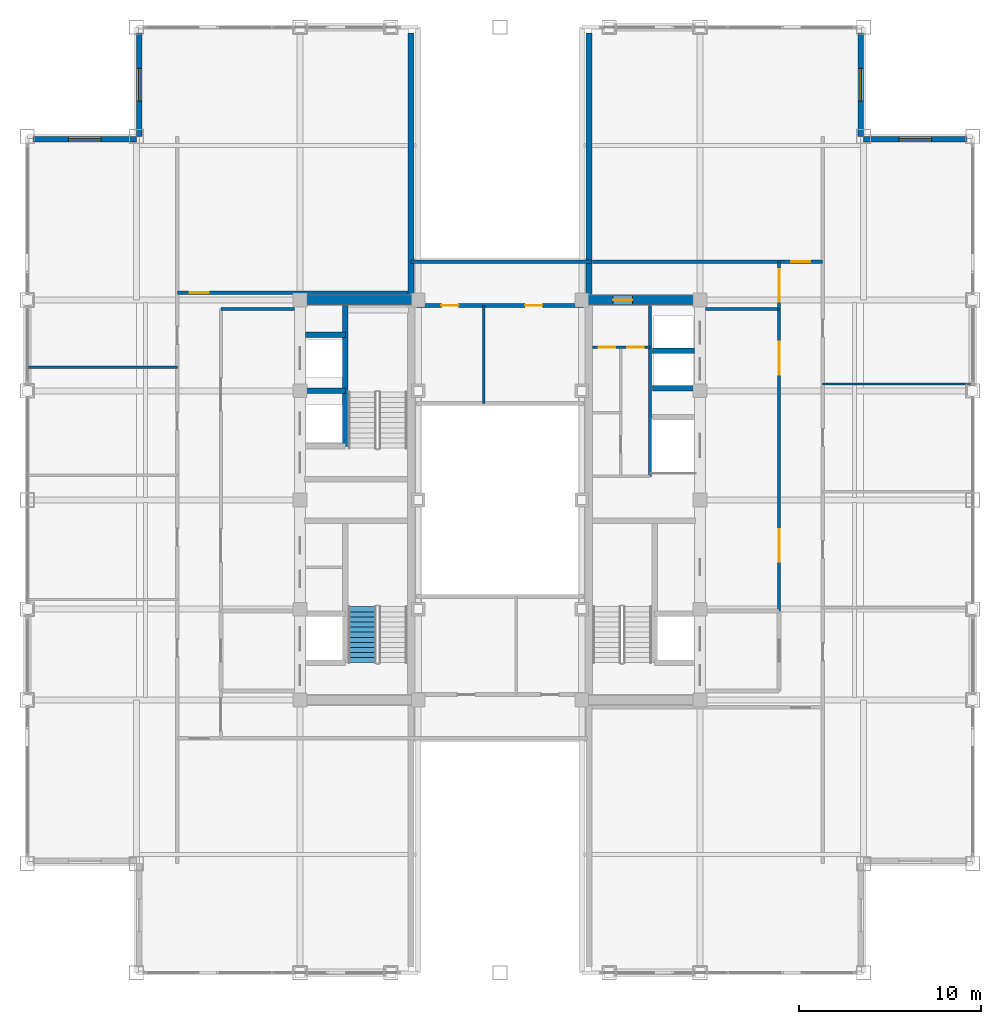
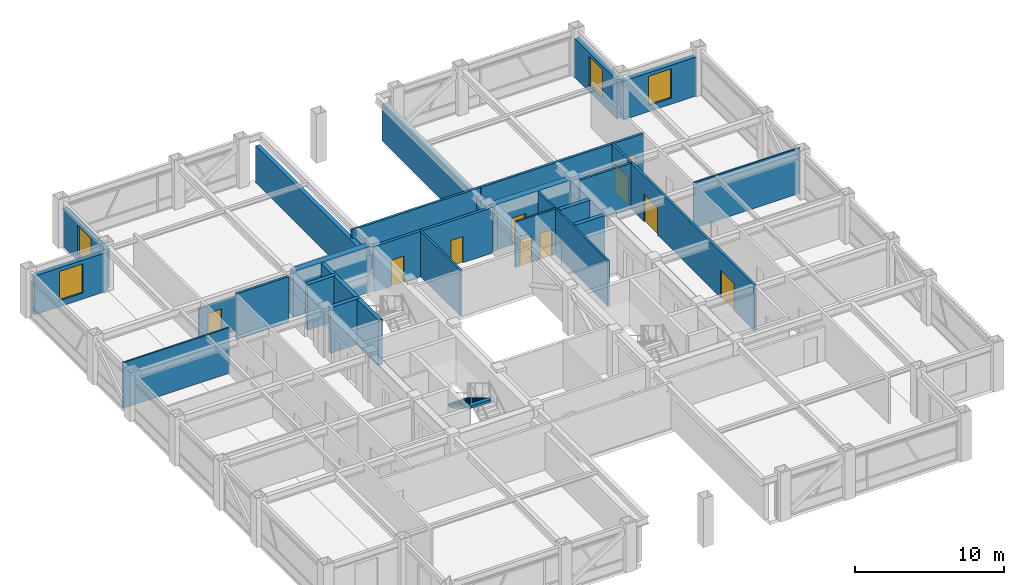
# One storey, part 27 of 29: 26 walls, 10 doors, 4 windows, 1 stair flight, 14 openings, 1 element without a shape of its own.
"""IFC4 building model written with IfcOpenShell, lengths in metres."""

from ifc_helpers import new_model, si_unit, direction, frame, frame_2d, origin, place, context, subcontext, project, spatial, polyline, rectangle, outline, extrude, source, transform, mapped, material, layer, layer_set, type_object, element, fill, aggregate, save


model = new_model("IFC4")

# Units and contexts
model_context = context("Model", 3, precision=1e-05, world=origin(), true_north=direction((0.0, 1.0)))
body_context = subcontext(model_context, "Body", "Model", "MODEL_VIEW")
ifc_project = project(units=[si_unit("LENGTHUNIT", "METRE"), si_unit("AREAUNIT", "SQUARE_METRE"), si_unit("VOLUMEUNIT", "CUBIC_METRE"), si_unit("PLANEANGLEUNIT", "RADIAN"), si_unit("MASSUNIT", "GRAM", prefix="KILO")], contexts=[model_context])

# Site, building, storey
site_placement = place(None, origin())
site = spatial("IfcSite", under=ifc_project, at=site_placement, CompositionType="ELEMENT")
building_placement = place(site_placement, origin())
building = spatial("IfcBuilding", under=site, at=building_placement, Name="Khorayat Bourse Tower", CompositionType="ELEMENT")
storey_placement = place(building_placement, frame((0.0, 0.0, 350.300048828125)))
storey = spatial("IfcBuildingStorey", under=building, at=storey_placement, Name="L83", CompositionType="ELEMENT", Elevation=350.300048828125)

# Wall
ifc_material_1 = material(Name="Concrete C52/65", Category="concrete")
ifc_layer_1 = layer(ifc_material_1, 0.5)
ifc_layer_set_1 = layer_set([ifc_layer_1], Name="Concrete C52/65")
wall_type_1 = type_object("IfcWallType", Name="WAL-CORE-500", PredefinedType="SHEAR", material=ifc_layer_set_1)
shared_shape_1 = source(origin(), body_context, "Body", "SweptSolid", [
    extrude(rectangle(XDim=5.89990234375, YDim=0.5, at=frame_2d((2.949951171875, 0.0))), origin(), (0.0, 0.0, 1.0), 3.739990234375),
])
wall_1_placement = place(storey_placement, frame((-10.75, 11.0, 0.0), z_axis=(0.0, 0.0, 1.0), x_axis=(1.0, 0.0, 0.0)))
element("IfcWall", 1, at=wall_1_placement, inside=storey, type_object=wall_type_1, Name="L83 Core Shear Wall PIER-WN", PredefinedType="SHEAR", context=body_context, shape_type="MappedRepresentation", body=[
    mapped(shared_shape_1, transform((0.0, 0.0, 0.0), scale=1.0)),
])

# Wall, opening, door
wall_2_placement = place(storey_placement, frame((4.85009765625, 11.0, 0.0), z_axis=(0.0, 0.0, 1.0), x_axis=(1.0, 0.0, 0.0)))
wall_2 = element("IfcWall", 2, at=wall_2_placement, inside=storey, type_object=wall_type_1, Name="L83 Core Shear Wall PIER-EN", PredefinedType="SHEAR", context=body_context, shape_type="MappedRepresentation", body=[
    mapped(shared_shape_1, transform((0.0, 0.0, 0.0), scale=1.0)),
])
shared_shape_2 = source(origin(), body_context, "Body", "SweptSolid", [
    extrude(rectangle(XDim=1.050048828125, YDim=2.199951171875, at=frame_2d((0.52490234375, 1.10009765625))), frame((0.0, 0.260009765625, 0.0), z_axis=(0.0, -1.0, 0.0), x_axis=(1.0, 0.0, 0.0)), (0.0, 0.0, 1.0), 0.52001953125),
])
opening_1_placement = place(wall_2_placement, frame((1.375, 0.0, 0.0)))
opening_1 = element("IfcOpeningElement", 3, at=opening_1_placement, cuts=wall_2, Name="Opening DI-04", PredefinedType="OPENING", context=body_context, shape_type="MappedRepresentation", body=[
    mapped(shared_shape_2, transform((0.0, 0.0, 0.0), scale=1.0)),
])
ifc_material_2 = material(Name="Fire-rated oak veneer suite entrance door")
door_type_1 = type_object("IfcDoorType", Name="DR-INT-SUITE-1050", OperationType="NOTDEFINED", PredefinedType="DOOR", material=ifc_material_2)
shared_shape_3 = source(origin(), body_context, "Body", "SweptSolid", [
    extrude(rectangle(XDim=1.050048828125, YDim=2.199951171875, at=frame_2d((0.52490234375, 1.10009765625))), frame((0.0, 0.02490234375, 0.0), z_axis=(0.0, -1.0, 0.0), x_axis=(1.0, 0.0, 0.0)), (0.0, 0.0, 1.0), 0.050048828125),
])
door_1_placement = place(opening_1_placement, origin())
door_1 = element("IfcDoor", 4, at=door_1_placement, inside=storey, type_object=door_type_1, Name="L83 Core Washroom Lobby Door", OperationType="SINGLE_SWING_LEFT", OverallHeight=2.199951171875, OverallWidth=1.050048828125, PredefinedType="DOOR", context=body_context, shape_type="MappedRepresentation", body=[
    mapped(shared_shape_3, transform((0.0, 0.0, 0.0), scale=1.0)),
])
fill(opening_1, door_1)

# Wall, opening, window
ifc_material_3 = material(Name="Precast concrete C45/55", Category="concrete")
ifc_layer_2 = layer(ifc_material_3, 0.320068359375)
ifc_layer_set_2 = layer_set([ifc_layer_2], Name="Precast concrete C45/55")
wall_type_2 = type_object("IfcWallType", Name="WAL-EXT-STONE-320", PredefinedType="STANDARD", material=ifc_layer_set_2)
shared_shape_4 = source(origin(), body_context, "Body", "SweptSolid", [
    extrude(rectangle(XDim=5.679931640625, YDim=0.320068359375, at=frame_2d((2.83984375, 0.0))), origin(), (0.0, 0.0, 1.0), 3.19091796875),
])
wall_3_placement = place(storey_placement, frame((20.0, 19.840087890625, 0.0), z_axis=(0.0, 0.0, 1.0), x_axis=(1.0, 0.0, 0.0)))
wall_3 = element("IfcWall", 5, at=wall_3_placement, inside=storey, type_object=wall_type_2, Name="L83 Re-Entrant Notch Limestone Wall NE-H", PredefinedType="STANDARD", context=body_context, shape_type="MappedRepresentation", body=[
    mapped(shared_shape_4, transform((0.0, 0.0, 0.0), scale=1.0)),
])
shared_shape_5 = source(origin(), body_context, "Body", "SweptSolid", [
    extrude(rectangle(XDim=1.800048828125, YDim=2.39990234375, at=frame_2d((0.89990234375, 1.199951171875))), frame((0.0, 0.169921875, 0.0), z_axis=(0.0, -1.0, 0.0), x_axis=(1.0, 0.0, 0.0)), (0.0, 0.0, 1.0), 0.340087890625),
])
opening_2_placement = place(wall_3_placement, frame((1.93994140625, 0.0, 0.5)))
opening_2 = element("IfcOpeningElement", 6, at=opening_2_placement, cuts=wall_3, Name="Opening WN-04", PredefinedType="OPENING", context=body_context, shape_type="MappedRepresentation", body=[
    mapped(shared_shape_5, transform((0.0, 0.0, 0.0), scale=1.0)),
])
ifc_material_4 = material(Name="Low-E acoustic laminated double glazing", Category="glass")
window_type = type_object("IfcWindowType", Name="WIN-NOTCH-1800x2400", PartitioningType="SINGLE_PANEL", PredefinedType="WINDOW", material=ifc_material_4)
shared_shape_6 = source(origin(), body_context, "Body", "SweptSolid", [
    extrude(rectangle(XDim=1.800048828125, YDim=2.39990234375, at=frame_2d((0.89990234375, 1.199951171875))), frame((0.0, 0.030029296875, 0.0), z_axis=(0.0, -1.0, 0.0), x_axis=(1.0, 0.0, 0.0)), (0.0, 0.0, 1.0), 0.06005859375),
])
window_1_placement = place(opening_2_placement, origin())
window_1 = element("IfcWindow", 7, at=window_1_placement, inside=storey, type_object=window_type, Name="L83 Facade Window 1", OverallHeight=2.39990234375, OverallWidth=1.800048828125, PartitioningType="SINGLE_PANEL", PredefinedType="WINDOW", context=body_context, shape_type="MappedRepresentation", body=[
    mapped(shared_shape_6, transform((0.0, 0.0, 0.0), scale=1.0)),
])
fill(opening_2, window_1)

wall_4_placement = place(storey_placement, frame((19.840087890625, 20.0, 0.0), z_axis=(0.0, 0.0, 1.0), x_axis=(0.0, 1.0, 0.0)))
wall_4 = element("IfcWall", 8, at=wall_4_placement, inside=storey, type_object=wall_type_2, Name="L83 Re-Entrant Notch Limestone Wall NE-V", PredefinedType="STANDARD", context=body_context, shape_type="MappedRepresentation", body=[
    mapped(shared_shape_4, transform((0.0, 0.0, 0.0), scale=1.0)),
])
opening_3_placement = place(wall_4_placement, frame((1.93994140625, 0.0, 0.5)))
opening_3 = element("IfcOpeningElement", 9, at=opening_3_placement, cuts=wall_4, Name="Opening WN-04", PredefinedType="OPENING", context=body_context, shape_type="MappedRepresentation", body=[
    mapped(shared_shape_5, transform((0.0, 0.0, 0.0), scale=1.0)),
])
window_2_placement = place(opening_3_placement, origin())
window_2 = element("IfcWindow", 10, at=window_2_placement, inside=storey, type_object=window_type, Name="L83 Facade Window 1", OverallHeight=2.39990234375, OverallWidth=1.800048828125, PartitioningType="SINGLE_PANEL", PredefinedType="WINDOW", context=body_context, shape_type="MappedRepresentation", body=[
    mapped(shared_shape_6, transform((0.0, 0.0, 0.0), scale=1.0)),
])
fill(opening_3, window_2)

wall_5_placement = place(storey_placement, frame((-19.840087890625, 20.0, 0.0), z_axis=(0.0, 0.0, 1.0), x_axis=(0.0, 1.0, 0.0)))
wall_5 = element("IfcWall", 11, at=wall_5_placement, inside=storey, type_object=wall_type_2, Name="L83 Re-Entrant Notch Limestone Wall NW-V", PredefinedType="STANDARD", context=body_context, shape_type="MappedRepresentation", body=[
    mapped(shared_shape_4, transform((0.0, 0.0, 0.0), scale=1.0)),
])
opening_4_placement = place(wall_5_placement, frame((1.93994140625, 0.0, 0.5)))
opening_4 = element("IfcOpeningElement", 12, at=opening_4_placement, cuts=wall_5, Name="Opening WN-04", PredefinedType="OPENING", context=body_context, shape_type="MappedRepresentation", body=[
    mapped(shared_shape_5, transform((0.0, 0.0, 0.0), scale=1.0)),
])
window_3_placement = place(opening_4_placement, origin())
window_3 = element("IfcWindow", 13, at=window_3_placement, inside=storey, type_object=window_type, Name="L83 Facade Window 1", OverallHeight=2.39990234375, OverallWidth=1.800048828125, PartitioningType="SINGLE_PANEL", PredefinedType="WINDOW", context=body_context, shape_type="MappedRepresentation", body=[
    mapped(shared_shape_6, transform((0.0, 0.0, 0.0), scale=1.0)),
])
fill(opening_4, window_3)

wall_6_placement = place(storey_placement, frame((-20.0, 19.840087890625, 0.0), z_axis=(0.0, 0.0, 1.0), x_axis=(-1.0, 0.0, 0.0)))
wall_6 = element("IfcWall", 14, at=wall_6_placement, inside=storey, type_object=wall_type_2, Name="L83 Re-Entrant Notch Limestone Wall NW-H", PredefinedType="STANDARD", context=body_context, shape_type="MappedRepresentation", body=[
    mapped(shared_shape_4, transform((0.0, 0.0, 0.0), scale=1.0)),
])
opening_5_placement = place(wall_6_placement, frame((1.93994140625, 0.0, 0.5)))
opening_5 = element("IfcOpeningElement", 15, at=opening_5_placement, cuts=wall_6, Name="Opening WN-04", PredefinedType="OPENING", context=body_context, shape_type="MappedRepresentation", body=[
    mapped(shared_shape_5, transform((0.0, 0.0, 0.0), scale=1.0)),
])
window_4_placement = place(opening_5_placement, origin())
window_4 = element("IfcWindow", 16, at=window_4_placement, inside=storey, type_object=window_type, Name="L83 Facade Window 1", OverallHeight=2.39990234375, OverallWidth=1.800048828125, PartitioningType="SINGLE_PANEL", PredefinedType="WINDOW", context=body_context, shape_type="MappedRepresentation", body=[
    mapped(shared_shape_6, transform((0.0, 0.0, 0.0), scale=1.0)),
])
fill(opening_5, window_4)

# Walls
shared_shape_7 = source(origin(), body_context, "Body", "SweptSolid", [
    extrude(rectangle(XDim=14.97998046875, YDim=0.320068359375, at=frame_2d((7.489990234375, 0.0))), origin(), (0.0, 0.0, 1.0), 3.044921875),
])
for number, where, z_axis, x_axis, name in (
    (17, (-4.89990234375, 10.699951171875, 0.0), (0.0, 0.0, 1.0), (0.0, 1.0, 0.0), "L83 Wind Portal West Cheek Wall N"),
    (18, (4.89990234375, 10.699951171875, 0.0), (0.0, 0.0, 1.0), (0.0, 1.0, 0.0), "L83 Wind Portal East Cheek Wall N"),
):
    element("IfcWall", number, at=place(storey_placement, frame(where, z_axis=z_axis, x_axis=x_axis)), inside=storey, type_object=wall_type_2, Name=name, PredefinedType="STANDARD", context=body_context, shape_type="MappedRepresentation", body=[
        mapped(shared_shape_7, transform((0.0, 0.0, 0.0), scale=1.0)),
    ])
ifc_material_5 = material(Name="Concrete C50/60", Category="concrete")
ifc_layer_3 = layer(ifc_material_5, 0.300048828125)
ifc_layer_set_3 = layer_set([ifc_layer_3], Name="Concrete C50/60")
wall_type_3 = type_object("IfcWallType", Name="WAL-SHAFT-300", PredefinedType="SHEAR", material=ifc_layer_set_3)
shared_shape_8 = source(origin(), body_context, "Body", "SweptSolid", [
    extrude(rectangle(XDim=2.199951171875, YDim=0.300048828125, at=frame_2d((1.10009765625, 0.0))), origin(), (0.0, 0.0, 1.0), 3.739990234375),
])
for number, where, z_axis, x_axis, name in (
    (19, (-10.699951171875, 6.0, 0.0), (0.0, 0.0, 1.0), (1.0, 0.0, 0.0), "L83 Partition WAL-L83-WPIER-H12"),
    (20, (-10.699951171875, 9.10009765625, 0.0), (0.0, 0.0, 1.0), (1.0, 0.0, 0.0), "L83 Partition WAL-L83-WPIER-H2N"),
):
    element("IfcWall", number, at=place(storey_placement, frame(where, z_axis=z_axis, x_axis=x_axis)), inside=storey, type_object=wall_type_3, Name=name, PredefinedType="SHEAR", context=body_context, shape_type="MappedRepresentation", body=[
        mapped(shared_shape_8, transform((0.0, 0.0, 0.0), scale=1.0)),
    ])
shared_shape_9 = source(origin(), body_context, "Body", "SweptSolid", [
    extrude(rectangle(XDim=7.75, YDim=0.300048828125, at=frame_2d((3.875, 0.0))), origin(), (0.0, 0.0, 1.0), 3.739990234375),
])
wall_7_placement = place(storey_placement, frame((-8.5, 2.949951171875, 0.0), z_axis=(0.0, 0.0, 1.0), x_axis=(0.0, 1.0, 0.0)))
element("IfcWall", 21, at=wall_7_placement, inside=storey, type_object=wall_type_3, Name="L83 Partition WAL-L83-WPIER-ST2S", PredefinedType="SHEAR", context=body_context, shape_type="MappedRepresentation", body=[
    mapped(shared_shape_9, transform((0.0, 0.0, 0.0), scale=1.0)),
])
shared_shape_10 = source(origin(), body_context, "Body", "SweptSolid", [
    extrude(rectangle(XDim=2.300048828125, YDim=0.300048828125, at=frame_2d((1.14990234375, 0.0))), origin(), (0.0, 0.0, 1.0), 3.739990234375),
])
for number, where, z_axis, x_axis, name in (
    (22, (8.39990234375, 6.14990234375, 0.0), (0.0, 0.0, 1.0), (1.0, 0.0, 0.0), "L83 Partition WAL-L83-EPIER-H3S"),
    (23, (8.39990234375, 8.199951171875, 0.0), (0.0, 0.0, 1.0), (1.0, 0.0, 0.0), "L83 Partition WAL-L83-EPIER-H34"),
):
    element("IfcWall", number, at=place(storey_placement, frame(where, z_axis=z_axis, x_axis=x_axis)), inside=storey, type_object=wall_type_3, Name=name, PredefinedType="SHEAR", context=body_context, shape_type="MappedRepresentation", body=[
        mapped(shared_shape_10, transform((0.0, 0.0, 0.0), scale=1.0)),
    ])
ifc_material_6 = material(Name="Moisture-resistant masonry partition", Category="masonry")
ifc_layer_4 = layer(ifc_material_6, 0.139892578125)
ifc_layer_set_4 = layer_set([ifc_layer_4], Name="Moisture-resistant masonry partition")
wall_type_4 = type_object("IfcWallType", Name="WAL-PART-WET-140", PredefinedType="PARTITIONING", material=ifc_layer_set_4)
shared_shape_11 = source(origin(), body_context, "Body", "SweptSolid", [
    extrude(rectangle(XDim=9.39990234375, YDim=0.139892578125, at=frame_2d((4.699951171875, 0.0))), origin(), (0.0, 0.0, 1.0), 3.739990234375),
])
wall_8_placement = place(storey_placement, frame((8.25, 1.300048828125, 0.0), z_axis=(0.0, 0.0, 1.0), x_axis=(0.0, 1.0, 0.0)))
element("IfcWall", 24, at=wall_8_placement, inside=storey, type_object=wall_type_4, Name="L83 Partition WAL-L83-ECORE-E", PredefinedType="PARTITIONING", context=body_context, shape_type="MappedRepresentation", body=[
    mapped(shared_shape_11, transform((0.0, 0.0, 0.0), scale=1.0)),
])

# Wall, openings, doors
shared_shape_12 = source(origin(), body_context, "Body", "SweptSolid", [
    extrude(rectangle(XDim=3.14990234375, YDim=0.139892578125, at=frame_2d((1.574951171875, 0.0))), origin(), (0.0, 0.0, 1.0), 3.739990234375),
])
wall_9_placement = place(storey_placement, frame((5.10009765625, 8.39990234375, 0.0), z_axis=(0.0, 0.0, 1.0), x_axis=(1.0, 0.0, 0.0)))
wall_9 = element("IfcWall", 25, at=wall_9_placement, inside=storey, type_object=wall_type_4, Name="L83 Partition WAL-L83-ECW-TOP", PredefinedType="PARTITIONING", context=body_context, shape_type="MappedRepresentation", body=[
    mapped(shared_shape_12, transform((0.0, 0.0, 0.0), scale=1.0)),
])
shared_shape_13 = source(origin(), body_context, "Body", "SweptSolid", [
    extrude(rectangle(XDim=0.89990234375, YDim=2.14990234375, at=frame_2d((0.449951171875, 1.074951171875))), frame((0.0, 0.079833984375, 0.0), z_axis=(0.0, -1.0, 0.0), x_axis=(1.0, 0.0, 0.0)), (0.0, 0.0, 1.0), 0.159912109375),
])
opening_6_placement = place(wall_9_placement, frame((0.330078125, 0.0, 0.0)))
opening_6 = element("IfcOpeningElement", 26, at=opening_6_placement, cuts=wall_9, Name="Opening DI-06", PredefinedType="OPENING", context=body_context, shape_type="MappedRepresentation", body=[
    mapped(shared_shape_13, transform((0.0, 0.0, 0.0), scale=1.0)),
])
opening_7_placement = place(wall_9_placement, frame((1.89990234375, 0.0, 0.0)))
opening_7 = element("IfcOpeningElement", 27, at=opening_7_placement, cuts=wall_9, Name="Opening DI-06", PredefinedType="OPENING", context=body_context, shape_type="MappedRepresentation", body=[
    mapped(shared_shape_13, transform((0.0, 0.0, 0.0), scale=1.0)),
])
ifc_material_7 = material(Name="Moisture-resistant laminate washroom door")
door_type_2 = type_object("IfcDoorType", Name="DR-INT-WC-900", OperationType="NOTDEFINED", PredefinedType="DOOR", material=ifc_material_7)
shared_shape_14 = source(origin(), body_context, "Body", "SweptSolid", [
    extrude(rectangle(XDim=0.89990234375, YDim=2.14990234375, at=frame_2d((0.449951171875, 1.074951171875))), frame((0.0, 0.02490234375, 0.0), z_axis=(0.0, -1.0, 0.0), x_axis=(1.0, 0.0, 0.0)), (0.0, 0.0, 1.0), 0.050048828125),
])
door_2_placement = place(opening_6_placement, origin())
door_2 = element("IfcDoor", 28, at=door_2_placement, inside=storey, type_object=door_type_2, Name="L83 Accessible WC Door", OperationType="SINGLE_SWING_LEFT", OverallHeight=2.14990234375, OverallWidth=0.89990234375, PredefinedType="DOOR", context=body_context, shape_type="MappedRepresentation", body=[
    mapped(shared_shape_14, transform((0.0, 0.0, 0.0), scale=1.0)),
])
fill(opening_6, door_2)
door_3_placement = place(opening_7_placement, origin())
door_3 = element("IfcDoor", 29, at=door_3_placement, inside=storey, type_object=door_type_2, Name="L83 Shared Washroom Door", OperationType="SINGLE_SWING_RIGHT", OverallHeight=2.14990234375, OverallWidth=0.89990234375, PredefinedType="DOOR", context=body_context, shape_type="MappedRepresentation", body=[
    mapped(shared_shape_14, transform((0.0, 0.0, 0.0), scale=1.0)),
])
fill(opening_7, door_3)

# Walls
ifc_material_8 = material(Name="Gypsum plasterboard acoustic stud wall")
ifc_layer_5 = layer(ifc_material_8, 0.179931640625)
ifc_layer_set_5 = layer_set([ifc_layer_5], Name="Gypsum plasterboard acoustic stud wall")
wall_type_5 = type_object("IfcWallType", Name="WAL-PART-CORR-180", PredefinedType="PARTITIONING", material=ifc_layer_set_5)
shared_shape_15 = source(origin(), body_context, "Body", "SweptSolid", [
    extrude(rectangle(XDim=4.050048828125, YDim=0.179931640625, at=frame_2d((2.02490234375, 0.0))), origin(), (0.0, 0.0, 1.0), 3.739990234375),
])
for number, where, z_axis, x_axis, name in (
    (30, (-15.35009765625, 10.5, 0.0), (0.0, 0.0, 1.0), (1.0, 0.0, 0.0), "L83 Partition WAL-L83-WLOB-N"),
    (31, (11.300048828125, 10.5, 0.0), (0.0, 0.0, 1.0), (1.0, 0.0, 0.0), "L83 Partition WAL-L83-ELOB-N"),
):
    element("IfcWall", number, at=place(storey_placement, frame(where, z_axis=z_axis, x_axis=x_axis)), inside=storey, type_object=wall_type_5, Name=name, PredefinedType="PARTITIONING", context=body_context, shape_type="MappedRepresentation", body=[
        mapped(shared_shape_15, transform((0.0, 0.0, 0.0), scale=1.0)),
    ])

# Wall, openings, doors
shared_shape_16 = source(origin(), body_context, "Body", "SweptSolid", [
    extrude(rectangle(XDim=16.60009765625, YDim=0.179931640625, at=frame_2d((8.300048828125, 0.0))), origin(), (0.0, 0.0, 1.0), 3.739990234375),
])
wall_10_placement = place(storey_placement, frame((15.35009765625, -6.10009765625, 0.0), z_axis=(0.0, 0.0, 1.0), x_axis=(0.0, 1.0, 0.0)))
wall_10 = element("IfcWall", 32, at=wall_10_placement, inside=storey, type_object=wall_type_5, Name="L83 Partition WAL-L83-ELOB-E", PredefinedType="PARTITIONING", context=body_context, shape_type="MappedRepresentation", body=[
    mapped(shared_shape_16, transform((0.0, 0.0, 0.0), scale=1.0)),
])
shared_shape_17 = source(origin(), body_context, "Body", "SweptSolid", [
    extrude(rectangle(XDim=1.800048828125, YDim=2.25, at=frame_2d((0.89990234375, 1.125))), frame((0.0, 0.099853515625, 0.0), z_axis=(0.0, -1.0, 0.0), x_axis=(1.0, 0.0, 0.0)), (0.0, 0.0, 1.0), 0.199951171875),
])
opening_8_placement = place(wall_10_placement, frame((2.699951171875, 0.0, 0.0)))
opening_8 = element("IfcOpeningElement", 33, at=opening_8_placement, cuts=wall_10, Name="Opening DI-03", PredefinedType="OPENING", context=body_context, shape_type="MappedRepresentation", body=[
    mapped(shared_shape_17, transform((0.0, 0.0, 0.0), scale=1.0)),
])
opening_9_placement = place(wall_10_placement, frame((13.0, 0.0, 0.0)))
opening_9 = element("IfcOpeningElement", 34, at=opening_9_placement, cuts=wall_10, Name="Opening DI-03", PredefinedType="OPENING", context=body_context, shape_type="MappedRepresentation", body=[
    mapped(shared_shape_17, transform((0.0, 0.0, 0.0), scale=1.0)),
])
ifc_material_9 = material(Name="Fire-rated hardwood vision-panel double leaf", Category="wood")
door_type_3 = type_object("IfcDoorType", Name="DR-INT-CORR-1800", OperationType="NOTDEFINED", PredefinedType="DOOR", material=ifc_material_9)
shared_shape_18 = source(origin(), body_context, "Body", "SweptSolid", [
    extrude(rectangle(XDim=1.800048828125, YDim=2.25, at=frame_2d((0.89990234375, 1.125))), frame((0.0, 0.02490234375, 0.0), z_axis=(0.0, -1.0, 0.0), x_axis=(1.0, 0.0, 0.0)), (0.0, 0.0, 1.0), 0.050048828125),
])
door_4_placement = place(opening_8_placement, origin())
door_4 = element("IfcDoor", 35, at=door_4_placement, inside=storey, type_object=door_type_3, Name="L83 East Core Lobby South Door", OperationType="SINGLE_SWING_RIGHT", OverallHeight=2.25, OverallWidth=1.800048828125, PredefinedType="DOOR", context=body_context, shape_type="MappedRepresentation", body=[
    mapped(shared_shape_18, transform((0.0, 0.0, 0.0), scale=1.0)),
])
fill(opening_8, door_4)
door_5_placement = place(opening_9_placement, origin())
door_5 = element("IfcDoor", 36, at=door_5_placement, inside=storey, type_object=door_type_3, Name="L83 East Core Lobby North Door", OperationType="SINGLE_SWING_LEFT", OverallHeight=2.25, OverallWidth=1.800048828125, PredefinedType="DOOR", context=body_context, shape_type="MappedRepresentation", body=[
    mapped(shared_shape_18, transform((0.0, 0.0, 0.0), scale=1.0)),
])
fill(opening_9, door_5)

# Wall, opening, door
shared_shape_19 = source(origin(), body_context, "Body", "SweptSolid", [
    extrude(rectangle(XDim=2.60009765625, YDim=0.179931640625, at=frame_2d((1.300048828125, 0.0))), origin(), (0.0, 0.0, 1.0), 3.739990234375),
])
wall_11_placement = place(storey_placement, frame((15.35009765625, 10.5, 0.0), z_axis=(0.0, 0.0, 1.0), x_axis=(0.0, 1.0, 0.0)))
wall_11 = element("IfcWall", 37, at=wall_11_placement, inside=storey, type_object=wall_type_5, Name="L83 Partition WAL-L83-ECSTUB-E", PredefinedType="PARTITIONING", context=body_context, shape_type="MappedRepresentation", body=[
    mapped(shared_shape_19, transform((0.0, 0.0, 0.0), scale=1.0)),
])
opening_10_placement = place(wall_11_placement, frame((0.39990234375, 0.0, 0.0)))
opening_10 = element("IfcOpeningElement", 38, at=opening_10_placement, cuts=wall_11, Name="Opening DI-03", PredefinedType="OPENING", context=body_context, shape_type="MappedRepresentation", body=[
    mapped(shared_shape_17, transform((0.0, 0.0, 0.0), scale=1.0)),
])
door_6_placement = place(opening_10_placement, origin())
door_6 = element("IfcDoor", 39, at=door_6_placement, inside=storey, type_object=door_type_3, Name="L83 East Portal Bridge Corridor Door", OperationType="DOUBLE_DOOR_SINGLE_SWING", OverallHeight=2.25, OverallWidth=1.800048828125, PredefinedType="DOOR", context=body_context, shape_type="MappedRepresentation", body=[
    mapped(shared_shape_18, transform((0.0, 0.0, 0.0), scale=1.0)),
])
fill(opening_10, door_6)

# Wall
ifc_material_10 = material(Name="Gypsum plasterboard twin-frame partition")
ifc_layer_6 = layer(ifc_material_10, 0.14990234375)
ifc_layer_set_6 = layer_set([ifc_layer_6], Name="Gypsum plasterboard twin-frame partition")
wall_type_6 = type_object("IfcWallType", Name="WAL-PART-SUITE-150", PredefinedType="PARTITIONING", material=ifc_layer_set_6)
shared_shape_20 = source(origin(), body_context, "Body", "SweptSolid", [
    extrude(rectangle(XDim=5.39990234375, YDim=0.14990234375, at=frame_2d((2.699951171875, 0.0))), origin(), (0.0, 0.0, 1.0), 3.739990234375),
])
wall_12_placement = place(storey_placement, frame((-0.89990234375, 5.300048828125, 0.0), z_axis=(0.0, 0.0, 1.0), x_axis=(0.0, 1.0, 0.0)))
element("IfcWall", 40, at=wall_12_placement, inside=storey, type_object=wall_type_6, Name="L83 Partition WAL-L83-WPB2-D", PredefinedType="PARTITIONING", context=body_context, shape_type="MappedRepresentation", body=[
    mapped(shared_shape_20, transform((0.0, 0.0, 0.0), scale=1.0)),
])

# Wall, openings, doors
ifc_material_11 = material(Name="Aerated concrete blockwork", Category="masonry")
ifc_layer_7 = layer(ifc_material_11, 0.219970703125)
ifc_layer_set_7 = layer_set([ifc_layer_7], Name="Aerated concrete blockwork")
wall_type_7 = type_object("IfcWallType", Name="WAL-PART-FF-220", PredefinedType="PARTITIONING", material=ifc_layer_set_7)
shared_shape_21 = source(origin(), body_context, "Body", "SweptSolid", [
    extrude(rectangle(XDim=9.2001953125, YDim=0.219970703125, at=frame_2d((4.60009765625, 0.0))), origin(), (0.0, 0.0, 1.0), 3.739990234375),
])
wall_13_placement = place(storey_placement, frame((-4.60009765625, 10.699951171875, 0.0), z_axis=(0.0, 0.0, 1.0), x_axis=(1.0, 0.0, 0.0)))
wall_13 = element("IfcWall", 41, at=wall_13_placement, inside=storey, type_object=wall_type_7, Name="L83 Partition WAL-L83-WPB2-N", PredefinedType="PARTITIONING", context=body_context, shape_type="MappedRepresentation", body=[
    mapped(shared_shape_21, transform((0.0, 0.0, 0.0), scale=1.0)),
])
shared_shape_22 = source(origin(), body_context, "Body", "SweptSolid", [
    extrude(rectangle(XDim=0.949951171875, YDim=2.14990234375, at=frame_2d((0.47509765625, 1.074951171875))), frame((0.0, 0.119873046875, 0.0), z_axis=(0.0, -1.0, 0.0), x_axis=(1.0, 0.0, 0.0)), (0.0, 0.0, 1.0), 0.239990234375),
])
opening_11_placement = place(wall_13_placement, frame((1.375, 0.0, 0.0)))
opening_11 = element("IfcOpeningElement", 42, at=opening_11_placement, cuts=wall_13, Name="Opening DI-05", PredefinedType="OPENING", context=body_context, shape_type="MappedRepresentation", body=[
    mapped(shared_shape_22, transform((0.0, 0.0, 0.0), scale=1.0)),
])
opening_12_placement = place(wall_13_placement, frame((5.97509765625, 0.0, 0.0)))
opening_12 = element("IfcOpeningElement", 43, at=opening_12_placement, cuts=wall_13, Name="Opening DI-05", PredefinedType="OPENING", context=body_context, shape_type="MappedRepresentation", body=[
    mapped(shared_shape_22, transform((0.0, 0.0, 0.0), scale=1.0)),
])
ifc_material_12 = material(Name="Acoustic oak veneer office door")
door_type_4 = type_object("IfcDoorType", Name="DR-INT-OFFICE-950", OperationType="NOTDEFINED", PredefinedType="DOOR", material=ifc_material_12)
shared_shape_23 = source(origin(), body_context, "Body", "SweptSolid", [
    extrude(rectangle(XDim=0.949951171875, YDim=2.14990234375, at=frame_2d((0.47509765625, 1.074951171875))), frame((0.0, 0.02490234375, 0.0), z_axis=(0.0, -1.0, 0.0), x_axis=(1.0, 0.0, 0.0)), (0.0, 0.0, 1.0), 0.050048828125),
])
door_7_placement = place(opening_11_placement, origin())
door_7 = element("IfcDoor", 44, at=door_7_placement, inside=storey, type_object=door_type_4, Name="L83 North Bridge Study Door", OperationType="SINGLE_SWING_LEFT", OverallHeight=2.14990234375, OverallWidth=0.949951171875, PredefinedType="DOOR", context=body_context, shape_type="MappedRepresentation", body=[
    mapped(shared_shape_23, transform((0.0, 0.0, 0.0), scale=1.0)),
])
fill(opening_11, door_7)
door_8_placement = place(opening_12_placement, origin())
door_8 = element("IfcDoor", 45, at=door_8_placement, inside=storey, type_object=door_type_4, Name="L83 North Bridge Anemometer Door", OperationType="SINGLE_SWING_RIGHT", OverallHeight=2.14990234375, OverallWidth=0.949951171875, PredefinedType="DOOR", context=body_context, shape_type="MappedRepresentation", body=[
    mapped(shared_shape_23, transform((0.0, 0.0, 0.0), scale=1.0)),
])
fill(opening_12, door_8)

# Wall
shared_shape_24 = source(origin(), body_context, "Body", "SweptSolid", [
    extrude(rectangle(XDim=9.949951171875, YDim=0.179931640625, at=frame_2d((4.97509765625, 0.0))), origin(), (0.0, 0.0, 1.0), 3.739990234375),
])
wall_14_placement = place(storey_placement, frame((-4.89990234375, 13.10009765625, 0.0), z_axis=(0.0, 0.0, 1.0), x_axis=(1.0, 0.0, 0.0)))
element("IfcWall", 46, at=wall_14_placement, inside=storey, type_object=wall_type_5, Name="L83 Partition WAL-L83-ECSTUB-N", PredefinedType="PARTITIONING", context=body_context, shape_type="MappedRepresentation", body=[
    mapped(shared_shape_24, transform((0.0, 0.0, 0.0), scale=1.0)),
])

# Wall, opening, door
shared_shape_25 = source(origin(), body_context, "Body", "SweptSolid", [
    extrude(rectangle(XDim=12.699951171875, YDim=0.179931640625, at=frame_2d((6.35009765625, 0.0))), origin(), (0.0, 0.0, 1.0), 2.7900390625),
])
wall_15_placement = place(storey_placement, frame((-17.75, 11.39990234375, 0.0), z_axis=(0.0, 0.0, 1.0), x_axis=(1.0, 0.0, 0.0)))
wall_15 = element("IfcWall", 47, at=wall_15_placement, inside=storey, type_object=wall_type_5, Name="L83 Partition WAL-L83-WPN-S", PredefinedType="PARTITIONING", context=body_context, shape_type="MappedRepresentation", body=[
    mapped(shared_shape_25, transform((0.0, 0.0, 0.0), scale=1.0)),
])
shared_shape_26 = source(origin(), body_context, "Body", "SweptSolid", [
    extrude(rectangle(XDim=1.050048828125, YDim=2.199951171875, at=frame_2d((0.52490234375, 1.10009765625))), frame((0.0, 0.099853515625, 0.0), z_axis=(0.0, -1.0, 0.0), x_axis=(1.0, 0.0, 0.0)), (0.0, 0.0, 1.0), 0.199951171875),
])
opening_13_placement = place(wall_15_placement, frame((0.675048828125, 0.0, 0.0)))
opening_13 = element("IfcOpeningElement", 48, at=opening_13_placement, cuts=wall_15, Name="Opening DI-04", PredefinedType="OPENING", context=body_context, shape_type="MappedRepresentation", body=[
    mapped(shared_shape_26, transform((0.0, 0.0, 0.0), scale=1.0)),
])
door_9_placement = place(opening_13_placement, origin())
door_9 = element("IfcDoor", 49, at=door_9_placement, inside=storey, type_object=door_type_1, Name="L83 West Portal Trading Door", OperationType="SINGLE_SWING_RIGHT", OverallHeight=2.199951171875, OverallWidth=1.050048828125, PredefinedType="DOOR", context=body_context, shape_type="MappedRepresentation", body=[
    mapped(shared_shape_3, transform((0.0, 0.0, 0.0), scale=1.0)),
])
fill(opening_13, door_9)

shared_shape_27 = source(origin(), body_context, "Body", "SweptSolid", [
    extrude(rectangle(XDim=12.64990234375, YDim=0.179931640625, at=frame_2d((6.324951171875, 0.0))), origin(), (0.0, 0.0, 1.0), 3.739990234375),
])
wall_16_placement = place(storey_placement, frame((5.10009765625, 13.10009765625, 0.0), z_axis=(0.0, 0.0, 1.0), x_axis=(1.0, 0.0, 0.0)))
wall_16 = element("IfcWall", 50, at=wall_16_placement, inside=storey, type_object=wall_type_5, Name="L83 Partition WAL-L83-EPN-S", PredefinedType="PARTITIONING", context=body_context, shape_type="MappedRepresentation", body=[
    mapped(shared_shape_27, transform((0.0, 0.0, 0.0), scale=1.0)),
])
opening_14_placement = place(wall_16_placement, frame((10.925048828125, 0.0, 0.0)))
opening_14 = element("IfcOpeningElement", 51, at=opening_14_placement, cuts=wall_16, Name="Opening DI-04", PredefinedType="OPENING", context=body_context, shape_type="MappedRepresentation", body=[
    mapped(shared_shape_26, transform((0.0, 0.0, 0.0), scale=1.0)),
])
door_10_placement = place(opening_14_placement, origin())
door_10 = element("IfcDoor", 52, at=door_10_placement, inside=storey, type_object=door_type_1, Name="L83 East Portal Lab Door", OperationType="SINGLE_SWING_RIGHT", OverallHeight=2.199951171875, OverallWidth=1.050048828125, PredefinedType="DOOR", context=body_context, shape_type="MappedRepresentation", body=[
    mapped(shared_shape_3, transform((0.0, 0.0, 0.0), scale=1.0)),
])
fill(opening_14, door_10)

# Walls
ifc_material_13 = material(Name="Gypsum plasterboard partition")
ifc_layer_8 = layer(ifc_material_13, 0.125)
ifc_layer_set_8 = layer_set([ifc_layer_8], Name="Gypsum plasterboard partition")
wall_type_8 = type_object("IfcWallType", Name="WAL-PART-ROOM-125", PredefinedType="PARTITIONING", material=ifc_layer_set_8)
shared_shape_28 = source(origin(), body_context, "Body", "SweptSolid", [
    extrude(rectangle(XDim=8.25, YDim=0.125, at=frame_2d((4.125, 0.0))), origin(), (0.0, 0.0, 1.0), 3.739990234375),
])
for number, where, z_axis, x_axis, name in (
    (53, (-26.0, 7.2958984375, 0.0), (0.0, 0.0, 1.0), (1.0, 0.0, 0.0), "L83 Partition WAL-L83-WPWDV-3"),
    (54, (17.75, 6.384033203125, 0.0), (0.0, 0.0, 1.0), (1.0, 0.0, 0.0), "L83 Partition WAL-L83-WPEDV-3"),
):
    element("IfcWall", number, at=place(storey_placement, frame(where, z_axis=z_axis, x_axis=x_axis)), inside=storey, type_object=wall_type_8, Name=name, PredefinedType="PARTITIONING", context=body_context, shape_type="MappedRepresentation", body=[
        mapped(shared_shape_28, transform((0.0, 0.0, 0.0), scale=1.0)),
    ])

# Stair, stair flight
ifc_material_14 = material(Name="Concrete C40/50", Category="concrete")
stair_type = type_object("IfcStairType", Name="STR-CORE-1550", PredefinedType="HALF_TURN_STAIR", material=ifc_material_14)
stair_placement = place(storey_placement, origin())
stair = element("IfcStair", 55, at=stair_placement, inside=storey, type_object=stair_type, Name="L83 Exit Stair ST-1", PredefinedType="HALF_TURN_STAIR")
stair_flight_type = type_object("IfcStairFlightType", Name="FLT-CORE-1550", PredefinedType="STRAIGHT", material=ifc_material_14)
shared_shape_29 = source(origin(), body_context, "Body", "SweptSolid", [
    extrude(outline(polyline([(0.0, 0.0), (0.0, 0.166748046875), (0.280029296875, 0.166748046875), (0.280029296875, 0.333251953125), (0.56005859375, 0.333251953125), (0.56005859375, 0.5), (0.840087890625, 0.5), (0.840087890625, 0.666748046875), (1.1201171875, 0.666748046875), (1.1201171875, 0.833251953125), (1.39990234375, 0.833251953125), (1.39990234375, 1.0), (1.679931640625, 1.0), (1.679931640625, 1.166748046875), (1.9599609375, 1.166748046875), (1.9599609375, 1.333251953125), (2.239990234375, 1.333251953125), (2.239990234375, 1.5), (2.52001953125, 1.5), (2.52001953125, 1.666748046875), (2.800048828125, 1.666748046875), (2.800048828125, 1.833251953125), (3.080078125, 1.833251953125), (3.080078125, 2.0), (3.080078125, 1.6240234375), (0.351806640625, 0.0), (0.0, 0.0)])), frame((0.0, 0.77490234375, 0.0), z_axis=(0.0, -1.0, 0.0), x_axis=(1.0, 0.0, 0.0)), (0.0, 0.0, 1.0), 1.550048828125),
])
stair_flight_placement = place(storey_placement, frame((-7.574951171875, -5.8701171875, 2.0), z_axis=(0.0, 0.0, 1.0), x_axis=(0.0, -1.0, 0.0)))
stair_flight = element("IfcStairFlight", 56, at=stair_flight_placement, type_object=stair_flight_type, Name="ST-1 flight 2", NumberOfRisers=12, NumberOfTreads=11, PredefinedType="STRAIGHT", RiserHeight=0.166666667, TreadLength=0.28, context=body_context, shape_type="MappedRepresentation", body=[
    mapped(shared_shape_29, transform((0.0, 0.0, 0.0), scale=1.0)),
])
aggregate(stair, [stair_flight])

save(model, "model.ifc")
